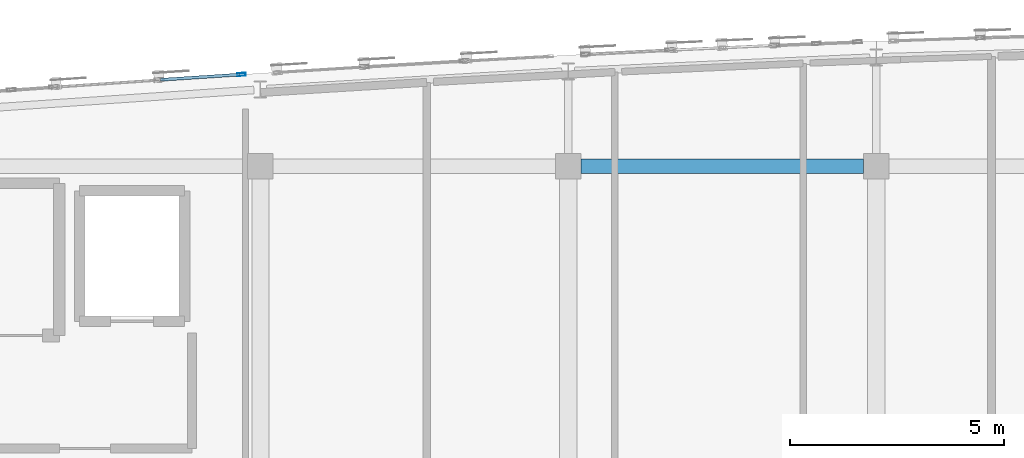
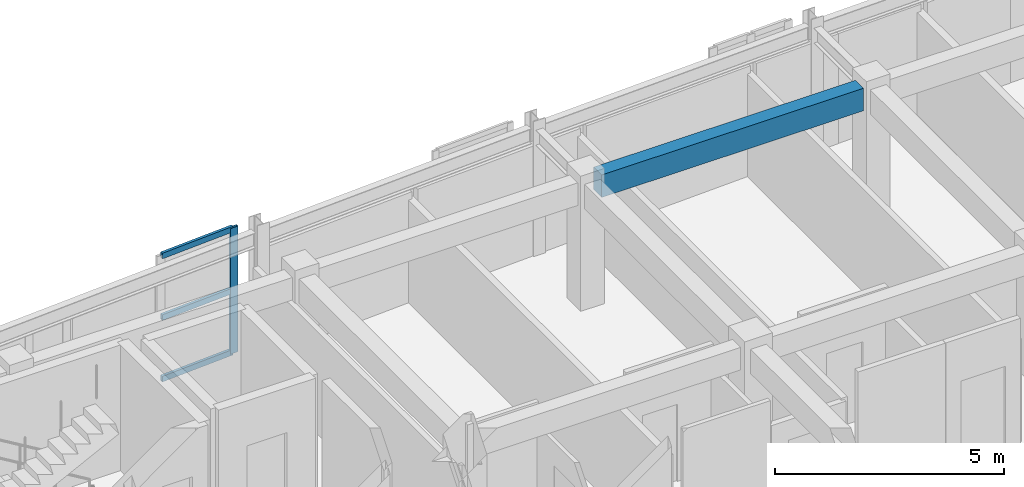
# One storey, part 12 of 48: 4 members, 1 beam, 1 element without a shape of its own.
"""IFC4 building model written with IfcOpenShell, lengths in metres."""

from ifc_helpers import new_model, si_unit, direction, frame, origin, origin_2d, place, context, subcontext, project, spatial, rectangle, hollow_rectangle, extrude, material, layer, layer_set, material_profile, profile_set, type_object, element, aggregate, save


model = new_model("IFC4")

# Units and contexts
model_context = context("Model", 3, precision=1e-05, world=origin(), true_north=direction((0.0, 1.0)))
body_context = subcontext(model_context, "Body", "Model", "MODEL_VIEW")
ifc_project = project(units=[si_unit("LENGTHUNIT", "METRE"), si_unit("AREAUNIT", "SQUARE_METRE"), si_unit("VOLUMEUNIT", "CUBIC_METRE"), si_unit("PLANEANGLEUNIT", "RADIAN"), si_unit("MASSUNIT", "GRAM", prefix="KILO")], contexts=[model_context])

# Site, building, storey
site_placement = place(None, origin())
site = spatial("IfcSite", under=ifc_project, at=site_placement, CompositionType="ELEMENT")
building_placement = place(site_placement, origin())
building = spatial("IfcBuilding", under=site, at=building_placement, Name="Carrowvane Square Congress Hotel", CompositionType="ELEMENT")
storey_placement = place(building_placement, frame((0.0, 0.0, 26.39990234375)))
storey = spatial("IfcBuildingStorey", under=building, at=storey_placement, Name="L06", CompositionType="ELEMENT", Elevation=26.39990234375)

# Beam
ifc_material_1 = material(Name="Concrete C35/45", Category="concrete")
ifc_material_profile_1 = material_profile(ifc_material_1, rectangle(XDim=0.35009765625, YDim=0.60009765625, at=origin_2d()), Name="RC 350x600")
ifc_profile_set_1 = profile_set([ifc_material_profile_1], Name="Concrete C35/45")
beam_type = type_object("IfcBeamType", Name="BM-RC-350x600", PredefinedType="BEAM", material=ifc_profile_set_1)
beam_placement = place(storey_placement, frame((76.699951171875, 113.39990234375, 3.050048828125), z_axis=(1.0, 0.0, 0.0), x_axis=(0.0, 1.0, 0.0)))
element("IfcBeam", 1, at=beam_placement, inside=storey, type_object=beam_type, Name="L07 girder R/10-11", PredefinedType="BEAM", context=body_context, shape_type="SweptSolid", body=[
    extrude(rectangle(XDim=0.35009765625, YDim=0.60009765625, at=origin_2d()), origin(), (0.0, 0.0, 1.0), 6.60009765625),
])

# Curtain wall, members
ifc_material_2 = material(Name="Anodised aluminium", Category="aluminium")
ifc_layer = layer(ifc_material_2, 0.174072265625)
ifc_layer_set = layer_set([ifc_layer], Name="Anodised aluminium")
curtain_wall_type = type_object("IfcCurtainWallType", Name="CW-SYS-2", PredefinedType="NOTDEFINED", material=ifc_layer_set)
curtain_wall_placement = place(storey_placement, origin())
curtain_wall = element("IfcCurtainWall", 2, at=curtain_wall_placement, inside=storey, type_object=curtain_wall_type, Name="L06 unitised curtain wall 369", PredefinedType="NOTDEFINED")
ifc_material_3 = material(Name="Anodised aluminium", Category="aluminium")
ifc_material_profile_2 = material_profile(ifc_material_3, hollow_rectangle(XDim=0.070068359375, YDim=0.199951171875, WallThickness=0.0048828125, at=origin_2d()), Name="CW-ML 70x200x5")
ifc_profile_set_2 = profile_set([ifc_material_profile_2], Name="Anodised aluminium")
member_type_1 = type_object("IfcMemberType", Name="CW-MUL-2", PredefinedType="MULLION", material=ifc_profile_set_2)
member_1_placement = place(storey_placement, frame((68.756591796875, 115.545166015625, 0.0), z_axis=(0.0, 0.0, 1.0), x_axis=(-0.065412223074, 0.997858327155, 0.0)))
member_1 = element("IfcMember", 3, at=member_1_placement, type_object=member_type_1, Name="CW-2 mullion 2", PredefinedType="MULLION", context=body_context, shape_type="SweptSolid", body=[
    extrude(hollow_rectangle(XDim=0.070068359375, YDim=0.199951171875, WallThickness=0.0048828125, at=origin_2d()), origin(), (0.0, 0.0, 1.0), 3.35009765625),
])
ifc_material_4 = material(Name="Anodised aluminium", Category="aluminium")
ifc_material_profile_3 = material_profile(ifc_material_4, hollow_rectangle(XDim=0.070068359375, YDim=0.14990234375, WallThickness=0.0048828125, at=origin_2d()), Name="CW-TR 70x150x5")
ifc_profile_set_3 = profile_set([ifc_material_profile_3], Name="Anodised aluminium")
member_type_2 = type_object("IfcMemberType", Name="CW-TRN-2", PredefinedType="USERDEFINED", material=ifc_profile_set_3)
member_2_placement = place(storey_placement, frame((66.869873046875, 115.421630859375, 0.03515625), z_axis=(0.997860186588, 0.065383851382, 0.0), x_axis=(-0.065383851382, 0.997860186588, 0.0)))
member_2 = element("IfcMember", 4, at=member_2_placement, type_object=member_type_2, Name="CW-2 transom 1.1", ObjectType="TRANSOM", PredefinedType="USERDEFINED", context=body_context, shape_type="SweptSolid", body=[
    extrude(hollow_rectangle(XDim=0.070068359375, YDim=0.14990234375, WallThickness=0.0048828125, at=origin_2d()), origin(), (0.0, 0.0, 1.0), 1.855712890625),
])
member_3_placement = place(storey_placement, frame((66.869873046875, 115.421630859375, 1.675048828125), z_axis=(0.997860186588, 0.065383851382, 0.0), x_axis=(-0.065383851382, 0.997860186588, 0.0)))
member_3 = element("IfcMember", 5, at=member_3_placement, type_object=member_type_2, Name="CW-2 transom 1.2", ObjectType="TRANSOM", PredefinedType="USERDEFINED", context=body_context, shape_type="SweptSolid", body=[
    extrude(hollow_rectangle(XDim=0.070068359375, YDim=0.14990234375, WallThickness=0.0048828125, at=origin_2d()), origin(), (0.0, 0.0, 1.0), 1.855712890625),
])
member_4_placement = place(storey_placement, frame((66.869873046875, 115.421630859375, 3.315185546875), z_axis=(0.997860186588, 0.065383851382, 0.0), x_axis=(-0.065383851382, 0.997860186588, 0.0)))
member_4 = element("IfcMember", 6, at=member_4_placement, type_object=member_type_2, Name="CW-2 transom 1.3", ObjectType="TRANSOM", PredefinedType="USERDEFINED", context=body_context, shape_type="SweptSolid", body=[
    extrude(hollow_rectangle(XDim=0.070068359375, YDim=0.14990234375, WallThickness=0.0048828125, at=origin_2d()), origin(), (0.0, 0.0, 1.0), 1.855712890625),
])
aggregate(curtain_wall, [member_1, member_2, member_3, member_4])

save(model, "model.ifc")
